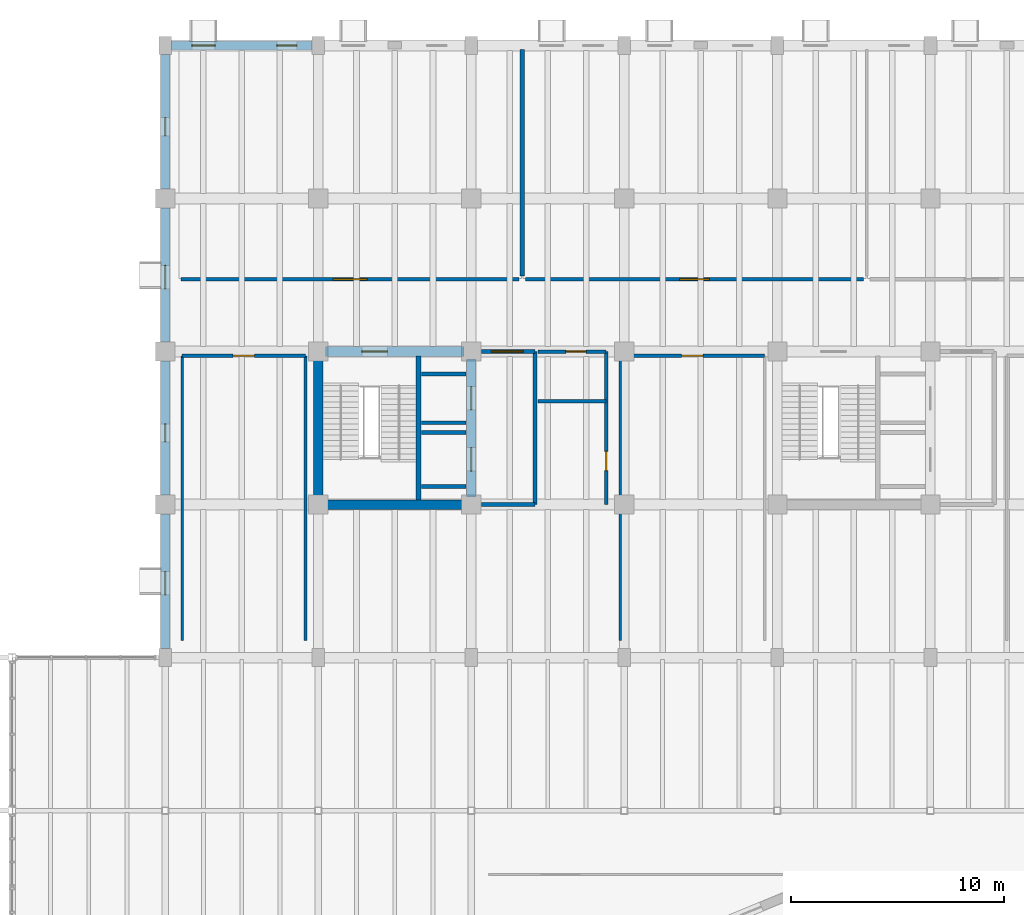
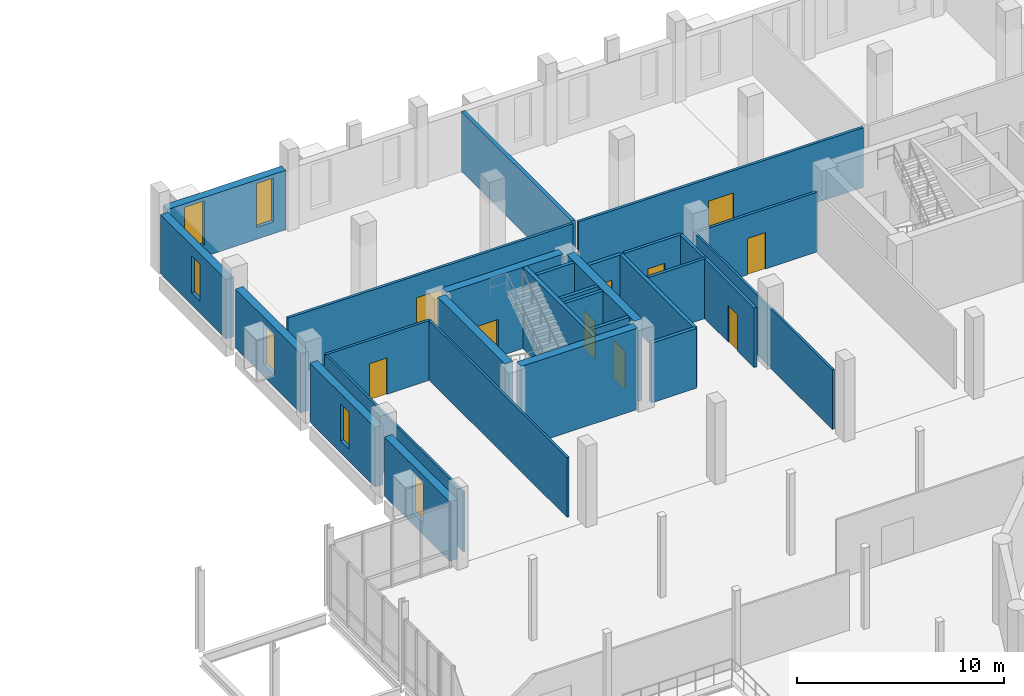
# One storey, part 65 of 77: 28 walls, 10 doors, 6 windows, 16 openings.
"""IFC4 building model written with IfcOpenShell, lengths in metres."""

from ifc_helpers import new_model, si_unit, direction, frame, frame_2d, origin, place, context, subcontext, project, spatial, rectangle, extrude, material, layer, layer_set, type_object, element, fill, save


model = new_model("IFC4")

# Units and contexts
model_context = context("Model", 3, precision=1e-05, world=origin(), true_north=direction((0.0, 1.0)))
body_context = subcontext(model_context, "Body", "Model", "MODEL_VIEW")
ifc_project = project(units=[si_unit("LENGTHUNIT", "METRE"), si_unit("AREAUNIT", "SQUARE_METRE"), si_unit("VOLUMEUNIT", "CUBIC_METRE"), si_unit("PLANEANGLEUNIT", "RADIAN"), si_unit("MASSUNIT", "GRAM", prefix="KILO")], contexts=[model_context])

# Site, building, storey
site_placement = place(None, origin())
site = spatial("IfcSite", under=ifc_project, at=site_placement, CompositionType="ELEMENT")
building_placement = place(site_placement, origin())
building = spatial("IfcBuilding", under=site, at=building_placement, Name="Qiaolan Assembly House", CompositionType="ELEMENT")
storey_placement = place(building_placement, frame((0.0, 0.0, 5.39990234375)))
storey = spatial("IfcBuildingStorey", under=building, at=storey_placement, Name="L01", CompositionType="ELEMENT", Elevation=5.39990234375)

# Wall
ifc_material_1 = material(Name="Concrete C50/60", Category="concrete")
ifc_layer_1 = layer(ifc_material_1, 0.449951171875)
ifc_layer_set_1 = layer_set([ifc_layer_1], Name="Concrete C50/60")
wall_type_1 = type_object("IfcWallType", Name="WAL-CORE-450", PredefinedType="SHEAR", material=ifc_layer_set_1)
wall_1_placement = place(storey_placement, frame((43.550048828125, 93.60009765625, 0.0), z_axis=(0.0, 0.0, 1.0), x_axis=(1.0, 0.0, 0.0)))
element("IfcWall", 1, at=wall_1_placement, inside=storey, type_object=wall_type_1, Name="CW-450 shear core wall CORE-A S L01", PredefinedType="SHEAR", context=body_context, shape_type="SweptSolid", body=[
    extrude(rectangle(XDim=6.5, YDim=0.449951171875, at=frame_2d((3.25, 0.0))), origin(), (0.0, 0.0, 1.0), 4.800048828125),
])

# Wall, openings, doors
wall_2_placement = place(storey_placement, frame((50.39990234375, 93.949951171875, 0.0), z_axis=(0.0, 0.0, 1.0), x_axis=(0.0, 1.0, 0.0)))
wall_2 = element("IfcWall", 2, at=wall_2_placement, inside=storey, type_object=wall_type_1, Name="CW-450 shear core wall CORE-A E L01", PredefinedType="SHEAR", context=body_context, shape_type="SweptSolid", body=[
    extrude(rectangle(XDim=6.5, YDim=0.449951171875, at=frame_2d((3.25, 0.0))), origin(), (0.0, 0.0, 1.0), 4.800048828125),
])
opening_1_placement = place(wall_2_placement, frame((1.22509765625, 0.0, 0.0)))
opening_1 = element("IfcOpeningElement", 3, at=opening_1_placement, cuts=wall_2, Name="Opening LD-003", PredefinedType="OPENING", context=body_context, shape_type="SweptSolid", body=[
    extrude(rectangle(XDim=1.10009765625, YDim=2.199951171875, at=frame_2d((0.550048828125, 1.10009765625))), frame((0.0, 0.23486328125, 0.0), z_axis=(0.0, -1.0, 0.0), x_axis=(1.0, 0.0, 0.0)), (0.0, 0.0, 1.0), 0.469970703125),
])
opening_2_placement = place(wall_2_placement, frame((4.10009765625, 0.0, 0.0)))
opening_2 = element("IfcOpeningElement", 4, at=opening_2_placement, cuts=wall_2, Name="Opening LD-012", PredefinedType="OPENING", context=body_context, shape_type="SweptSolid", body=[
    extrude(rectangle(XDim=1.10009765625, YDim=2.199951171875, at=frame_2d((0.550048828125, 1.10009765625))), frame((0.0, 0.23486328125, 0.0), z_axis=(0.0, -1.0, 0.0), x_axis=(1.0, 0.0, 0.0)), (0.0, 0.0, 1.0), 0.469970703125),
])
ifc_material_2 = material(Name="Anodised bronze aluminium", Category="aluminium")
door_type_1 = type_object("IfcDoorType", Name="DOR-LIFT-LD1100", OperationType="SLIDING_TO_LEFT", PredefinedType="DOOR", material=ifc_material_2)
door_1_placement = place(opening_1_placement, origin())
door_1 = element("IfcDoor", 5, at=door_1_placement, inside=storey, type_object=door_type_1, Name="Lift landing door LD-003 (LF-01 L01)", OperationType="SLIDING_TO_LEFT", OverallHeight=2.199951171875, OverallWidth=1.10009765625, PredefinedType="DOOR", context=body_context, shape_type="SweptSolid", body=[
    extrude(rectangle(XDim=1.10009765625, YDim=2.199951171875, at=frame_2d((0.550048828125, 1.10009765625))), frame((0.0, 0.02490234375, 0.0), z_axis=(0.0, -1.0, 0.0), x_axis=(1.0, 0.0, 0.0)), (0.0, 0.0, 1.0), 0.050048828125),
])
fill(opening_1, door_1)
door_2_placement = place(opening_2_placement, origin())
door_2 = element("IfcDoor", 6, at=door_2_placement, inside=storey, type_object=door_type_1, Name="Lift landing door LD-012 (LF-02 L01)", OperationType="SLIDING_TO_LEFT", OverallHeight=2.199951171875, OverallWidth=1.10009765625, PredefinedType="DOOR", context=body_context, shape_type="SweptSolid", body=[
    extrude(rectangle(XDim=1.10009765625, YDim=2.199951171875, at=frame_2d((0.550048828125, 1.10009765625))), frame((0.0, 0.02490234375, 0.0), z_axis=(0.0, -1.0, 0.0), x_axis=(1.0, 0.0, 0.0)), (0.0, 0.0, 1.0), 0.050048828125),
])
fill(opening_2, door_2)

# Wall, opening, door
wall_3_placement = place(storey_placement, frame((50.050048828125, 100.800048828125, 0.0), z_axis=(0.0, 0.0, 1.0), x_axis=(-1.0, 0.0, 0.0)))
wall_3 = element("IfcWall", 7, at=wall_3_placement, inside=storey, type_object=wall_type_1, Name="CW-450 shear core wall CORE-A N L01", PredefinedType="SHEAR", context=body_context, shape_type="SweptSolid", body=[
    extrude(rectangle(XDim=6.5, YDim=0.449951171875, at=frame_2d((3.25, 0.0))), origin(), (0.0, 0.0, 1.0), 4.800048828125),
])
opening_3_placement = place(wall_3_placement, frame((3.60009765625, 0.0, 0.0)))
opening_3 = element("IfcOpeningElement", 8, at=opening_3_placement, cuts=wall_3, Name="Opening FD-007", PredefinedType="OPENING", context=body_context, shape_type="SweptSolid", body=[
    extrude(rectangle(XDim=1.199951171875, YDim=2.199951171875, at=frame_2d((0.60009765625, 1.10009765625))), frame((0.0, 0.23486328125, 0.0), z_axis=(0.0, -1.0, 0.0), x_axis=(1.0, 0.0, 0.0)), (0.0, 0.0, 1.0), 0.469970703125),
])
ifc_material_3 = material(Name="Steel Q355B", Category="steel")
door_type_2 = type_object("IfcDoorType", Name="DOR-FIRE-FD90-1200", OperationType="NOTDEFINED", PredefinedType="DOOR", material=ifc_material_3)
door_3_placement = place(opening_3_placement, frame((1.199951171875, 0.0, 0.0), z_axis=(0.0, 0.0, 1.0), x_axis=(-1.0, 0.0, 0.0)))
door_3 = element("IfcDoor", 9, at=door_3_placement, inside=storey, type_object=door_type_2, Name="Stairwell fire door FD-007 (CORE-A L01)", OperationType="SINGLE_SWING_RIGHT", OverallHeight=2.199951171875, OverallWidth=1.199951171875, PredefinedType="DOOR", context=body_context, shape_type="SweptSolid", body=[
    extrude(rectangle(XDim=1.199951171875, YDim=2.199951171875, at=frame_2d((0.60009765625, 1.10009765625))), frame((0.0, 0.02490234375, 0.0), z_axis=(0.0, -1.0, 0.0), x_axis=(1.0, 0.0, 0.0)), (0.0, 0.0, 1.0), 0.050048828125),
])
fill(opening_3, door_3)

# Wall
wall_4_placement = place(storey_placement, frame((43.199951171875, 100.449951171875, 0.0), z_axis=(0.0, 0.0, 1.0), x_axis=(0.0, -1.0, 0.0)))
element("IfcWall", 10, at=wall_4_placement, inside=storey, type_object=wall_type_1, Name="CW-450 shear core wall CORE-A W L01", PredefinedType="SHEAR", context=body_context, shape_type="SweptSolid", body=[
    extrude(rectangle(XDim=6.5, YDim=0.449951171875, at=frame_2d((3.25, 0.0))), origin(), (0.0, 0.0, 1.0), 4.800048828125),
])

# Wall, openings, windows
ifc_material_4 = material(Name="Honed pale limestone", Category="masonry")
ifc_layer_2 = layer(ifc_material_4, 0.43505859375)
ifc_layer_set_2 = layer_set([ifc_layer_2], Name="Honed pale limestone")
wall_type_2 = type_object("IfcWallType", Name="WAL-EXT-RUSTIC-420", PredefinedType="SOLIDWALL", material=ifc_layer_set_2)
wall_5_placement = place(storey_placement, frame((42.902099609375, 115.199951171875, 0.0), z_axis=(0.0, 0.0, 1.0), x_axis=(-1.0, 0.0, 0.0)))
wall_5 = element("IfcWall", 11, at=wall_5_placement, inside=storey, type_object=wall_type_2, Name="EW-420 NW North street wall L01 bay 1", PredefinedType="SOLIDWALL", context=body_context, shape_type="SweptSolid", body=[
    extrude(rectangle(XDim=6.60400390625, YDim=0.43505859375, at=frame_2d((3.302001953125, 0.0))), origin(), (0.0, 0.0, 1.0), 3.5),
])
opening_4_placement = place(wall_5_placement, frame((0.701904296875, 0.0, 0.699951171875)))
opening_4 = element("IfcOpeningElement", 12, at=opening_4_placement, cuts=wall_5, Name="Opening WN-016", PredefinedType="OPENING", context=body_context, shape_type="SweptSolid", body=[
    extrude(rectangle(XDim=0.949951171875, YDim=2.60009765625, at=frame_2d((0.47509765625, 1.300048828125))), frame((0.0, 0.2275390625, 0.0), z_axis=(0.0, -1.0, 0.0), x_axis=(1.0, 0.0, 0.0)), (0.0, 0.0, 1.0), 0.455078125),
])
opening_5_placement = place(wall_5_placement, frame((4.552001953125, 0.0, 0.699951171875)))
opening_5 = element("IfcOpeningElement", 13, at=opening_5_placement, cuts=wall_5, Name="Opening WN-017", PredefinedType="OPENING", context=body_context, shape_type="SweptSolid", body=[
    extrude(rectangle(XDim=1.10009765625, YDim=2.60009765625, at=frame_2d((0.550048828125, 1.300048828125))), frame((0.0, 0.2275390625, 0.0), z_axis=(0.0, -1.0, 0.0), x_axis=(1.0, 0.0, 0.0)), (0.0, 0.0, 1.0), 0.455078125),
])
ifc_material_5 = material(Name="Low-E double insulating glass", Category="glass")
window_type_1 = type_object("IfcWindowType", Name="WIN-BOX-1100x2600", PartitioningType="SINGLE_PANEL", PredefinedType="WINDOW", material=ifc_material_5)
window_1_placement = place(opening_5_placement, origin())
window_1 = element("IfcWindow", 14, at=window_1_placement, inside=storey, type_object=window_type_1, Name="WN-T02 window WN-017", OverallHeight=2.60009765625, OverallWidth=1.10009765625, PartitioningType="SINGLE_PANEL", PredefinedType="WINDOW", context=body_context, shape_type="SweptSolid", body=[
    extrude(rectangle(XDim=1.10009765625, YDim=2.60009765625, at=frame_2d((0.550048828125, 1.300048828125))), frame((0.0, 0.030029296875, 0.0), z_axis=(0.0, -1.0, 0.0), x_axis=(1.0, 0.0, 0.0)), (0.0, 0.0, 1.0), 0.06005859375),
])
fill(opening_5, window_1)
window_type_2 = type_object("IfcWindowType", Name="WIN-PUNCH-950x2600", PartitioningType="SINGLE_PANEL", PredefinedType="WINDOW", material=ifc_material_5)
window_2_placement = place(opening_4_placement, origin())
window_2 = element("IfcWindow", 15, at=window_2_placement, inside=storey, type_object=window_type_2, Name="WN-T03 window WN-016", OverallHeight=2.60009765625, OverallWidth=0.949951171875, PartitioningType="SINGLE_PANEL", PredefinedType="WINDOW", context=body_context, shape_type="SweptSolid", body=[
    extrude(rectangle(XDim=0.949951171875, YDim=2.60009765625, at=frame_2d((0.47509765625, 1.300048828125))), frame((0.0, 0.030029296875, 0.0), z_axis=(0.0, -1.0, 0.0), x_axis=(1.0, 0.0, 0.0)), (0.0, 0.0, 1.0), 0.06005859375),
])
fill(opening_4, window_2)

# Wall, opening, window
wall_6_placement = place(storey_placement, frame((36.0, 86.822998046875, 0.0), z_axis=(0.0, 0.0, 1.0), x_axis=(0.0, 1.0, 0.0)))
wall_6 = element("IfcWall", 16, at=wall_6_placement, inside=storey, type_object=wall_type_2, Name="NW West avenue wall L01-1", PredefinedType="SOLIDWALL", context=body_context, shape_type="SweptSolid", body=[
    extrude(rectangle(XDim=6.3291015625, YDim=0.43505859375, at=frame_2d((3.16455078125, 0.0))), origin(), (0.0, 0.0, 1.0), 3.5),
])
opening_6_placement = place(wall_6_placement, frame((2.527099609375, 0.0, 0.699951171875)))
opening_6 = element("IfcOpeningElement", 17, at=opening_6_placement, cuts=wall_6, Name="Opening WN-034", PredefinedType="OPENING", context=body_context, shape_type="SweptSolid", body=[
    extrude(rectangle(XDim=1.10009765625, YDim=2.35009765625, at=frame_2d((0.550048828125, 1.175048828125))), frame((0.0, 0.2275390625, 0.0), z_axis=(0.0, -1.0, 0.0), x_axis=(1.0, 0.0, 0.0)), (0.0, 0.0, 1.0), 0.455078125),
])
window_type_3 = type_object("IfcWindowType", Name="WIN-BOX-1100x2350", PartitioningType="SINGLE_PANEL", PredefinedType="WINDOW", material=ifc_material_5)
window_3_placement = place(opening_6_placement, origin())
window_3 = element("IfcWindow", 18, at=window_3_placement, inside=storey, type_object=window_type_3, Name="NW West window WN-034", OverallHeight=2.35009765625, OverallWidth=1.10009765625, PartitioningType="SINGLE_PANEL", PredefinedType="WINDOW", context=body_context, shape_type="SweptSolid", body=[
    extrude(rectangle(XDim=1.10009765625, YDim=2.35009765625, at=frame_2d((0.550048828125, 1.175048828125))), frame((0.0, 0.030029296875, 0.0), z_axis=(0.0, -1.0, 0.0), x_axis=(1.0, 0.0, 0.0)), (0.0, 0.0, 1.0), 0.06005859375),
])
fill(opening_6, window_3)

wall_7_placement = place(storey_placement, frame((36.0, 94.048095703125, 0.0), z_axis=(0.0, 0.0, 1.0), x_axis=(0.0, 1.0, 0.0)))
wall_7 = element("IfcWall", 19, at=wall_7_placement, inside=storey, type_object=wall_type_2, Name="NW West avenue wall L01-2", PredefinedType="SOLIDWALL", context=body_context, shape_type="SweptSolid", body=[
    extrude(rectangle(XDim=6.303955078125, YDim=0.43505859375, at=frame_2d((3.15185546875, 0.0))), origin(), (0.0, 0.0, 1.0), 3.5),
])
opening_7_placement = place(wall_7_placement, frame((2.501953125, 0.0, 0.699951171875)))
opening_7 = element("IfcOpeningElement", 20, at=opening_7_placement, cuts=wall_7, Name="Opening WN-036", PredefinedType="OPENING", context=body_context, shape_type="SweptSolid", body=[
    extrude(rectangle(XDim=0.85009765625, YDim=2.199951171875, at=frame_2d((0.425048828125, 1.10009765625))), frame((0.0, 0.2275390625, 0.0), z_axis=(0.0, -1.0, 0.0), x_axis=(1.0, 0.0, 0.0)), (0.0, 0.0, 1.0), 0.455078125),
])
window_type_4 = type_object("IfcWindowType", Name="WIN-END-850x2200", PartitioningType="SINGLE_PANEL", PredefinedType="WINDOW", material=ifc_material_5)
window_4_placement = place(opening_7_placement, origin())
window_4 = element("IfcWindow", 21, at=window_4_placement, inside=storey, type_object=window_type_4, Name="NW West window WN-036", OverallHeight=2.199951171875, OverallWidth=0.85009765625, PartitioningType="SINGLE_PANEL", PredefinedType="WINDOW", context=body_context, shape_type="SweptSolid", body=[
    extrude(rectangle(XDim=0.85009765625, YDim=2.199951171875, at=frame_2d((0.425048828125, 1.10009765625))), frame((0.0, 0.030029296875, 0.0), z_axis=(0.0, -1.0, 0.0), x_axis=(1.0, 0.0, 0.0)), (0.0, 0.0, 1.0), 0.06005859375),
])
fill(opening_7, window_4)

wall_8_placement = place(storey_placement, frame((36.0, 101.248046875, 0.0), z_axis=(0.0, 0.0, 1.0), x_axis=(0.0, 1.0, 0.0)))
wall_8 = element("IfcWall", 22, at=wall_8_placement, inside=storey, type_object=wall_type_2, Name="NW West avenue wall L01-3", PredefinedType="SOLIDWALL", context=body_context, shape_type="SweptSolid", body=[
    extrude(rectangle(XDim=6.303955078125, YDim=0.43505859375, at=frame_2d((3.15185546875, 0.0))), origin(), (0.0, 0.0, 1.0), 3.5),
])
opening_8_placement = place(wall_8_placement, frame((2.501953125, 0.0, 0.699951171875)))
opening_8 = element("IfcOpeningElement", 23, at=opening_8_placement, cuts=wall_8, Name="Opening WN-038", PredefinedType="OPENING", context=body_context, shape_type="SweptSolid", body=[
    extrude(rectangle(XDim=1.10009765625, YDim=2.35009765625, at=frame_2d((0.550048828125, 1.175048828125))), frame((0.0, 0.2275390625, 0.0), z_axis=(0.0, -1.0, 0.0), x_axis=(1.0, 0.0, 0.0)), (0.0, 0.0, 1.0), 0.455078125),
])
window_5_placement = place(opening_8_placement, origin())
window_5 = element("IfcWindow", 24, at=window_5_placement, inside=storey, type_object=window_type_3, Name="NW West window WN-038", OverallHeight=2.35009765625, OverallWidth=1.10009765625, PartitioningType="SINGLE_PANEL", PredefinedType="WINDOW", context=body_context, shape_type="SweptSolid", body=[
    extrude(rectangle(XDim=1.10009765625, YDim=2.35009765625, at=frame_2d((0.550048828125, 1.175048828125))), frame((0.0, 0.030029296875, 0.0), z_axis=(0.0, -1.0, 0.0), x_axis=(1.0, 0.0, 0.0)), (0.0, 0.0, 1.0), 0.06005859375),
])
fill(opening_8, window_5)

wall_9_placement = place(storey_placement, frame((36.0, 108.447998046875, 0.0), z_axis=(0.0, 0.0, 1.0), x_axis=(0.0, 1.0, 0.0)))
wall_9 = element("IfcWall", 25, at=wall_9_placement, inside=storey, type_object=wall_type_2, Name="NW West avenue wall L01-4", PredefinedType="SOLIDWALL", context=body_context, shape_type="SweptSolid", body=[
    extrude(rectangle(XDim=6.3291015625, YDim=0.43505859375, at=frame_2d((3.16455078125, 0.0))), origin(), (0.0, 0.0, 1.0), 3.5),
])
opening_9_placement = place(wall_9_placement, frame((2.501953125, 0.0, 0.699951171875)))
opening_9 = element("IfcOpeningElement", 26, at=opening_9_placement, cuts=wall_9, Name="Opening WN-040", PredefinedType="OPENING", context=body_context, shape_type="SweptSolid", body=[
    extrude(rectangle(XDim=0.85009765625, YDim=2.199951171875, at=frame_2d((0.425048828125, 1.10009765625))), frame((0.0, 0.2275390625, 0.0), z_axis=(0.0, -1.0, 0.0), x_axis=(1.0, 0.0, 0.0)), (0.0, 0.0, 1.0), 0.455078125),
])
window_6_placement = place(opening_9_placement, origin())
window_6 = element("IfcWindow", 27, at=window_6_placement, inside=storey, type_object=window_type_4, Name="NW West window WN-040", OverallHeight=2.199951171875, OverallWidth=0.85009765625, PartitioningType="SINGLE_PANEL", PredefinedType="WINDOW", context=body_context, shape_type="SweptSolid", body=[
    extrude(rectangle(XDim=0.85009765625, YDim=2.199951171875, at=frame_2d((0.425048828125, 1.10009765625))), frame((0.0, 0.030029296875, 0.0), z_axis=(0.0, -1.0, 0.0), x_axis=(1.0, 0.0, 0.0)), (0.0, 0.0, 1.0), 0.06005859375),
])
fill(opening_9, window_6)

# Walls
ifc_material_6 = material(Name="Concrete C35/45", Category="concrete")
ifc_layer_3 = layer(ifc_material_6, 0.199951171875)
ifc_layer_set_3 = layer_set([ifc_layer_3], Name="Concrete C35/45")
wall_type_3 = type_object("IfcWallType", Name="WAL-LOBBY-200", PredefinedType="PARTITIONING", material=ifc_layer_set_3)
wall_10_placement = place(storey_placement, frame((53.39990234375, 93.60009765625, 0.0), z_axis=(0.0, 0.0, 1.0), x_axis=(0.0, 1.0, 0.0)))
element("IfcWall", 28, at=wall_10_placement, inside=storey, type_object=wall_type_3, Name="Firefighting lift lobby east wall CORE-A L01", PredefinedType="PARTITIONING", context=body_context, shape_type="SweptSolid", body=[
    extrude(rectangle(XDim=7.199951171875, YDim=0.199951171875, at=frame_2d((3.60009765625, 0.0))), origin(), (0.0, 0.0, 1.0), 3.52001953125),
])
wall_11_placement = place(storey_placement, frame((50.8798828125, 93.60009765625, 0.0), z_axis=(0.0, 0.0, 1.0), x_axis=(1.0, 0.0, 0.0)))
element("IfcWall", 29, at=wall_11_placement, inside=storey, type_object=wall_type_3, Name="Firefighting lift lobby south wall CORE-A L01", PredefinedType="PARTITIONING", context=body_context, shape_type="SweptSolid", body=[
    extrude(rectangle(XDim=2.52001953125, YDim=0.199951171875, at=frame_2d((1.260009765625, 0.0))), origin(), (0.0, 0.0, 1.0), 3.52001953125),
])

# Wall, opening, door
wall_12_placement = place(storey_placement, frame((53.39990234375, 100.800048828125, 0.0), z_axis=(0.0, 0.0, 1.0), x_axis=(-1.0, 0.0, 0.0)))
wall_12 = element("IfcWall", 30, at=wall_12_placement, inside=storey, type_object=wall_type_3, Name="Firefighting lift lobby north wall CORE-A L01", PredefinedType="PARTITIONING", context=body_context, shape_type="SweptSolid", body=[
    extrude(rectangle(XDim=2.52001953125, YDim=0.199951171875, at=frame_2d((1.260009765625, 0.0))), origin(), (0.0, 0.0, 1.0), 3.52001953125),
])
opening_10_placement = place(wall_12_placement, frame((0.550048828125, 0.0, 0.0)))
opening_10 = element("IfcOpeningElement", 31, at=opening_10_placement, cuts=wall_12, Name="Opening FD-008", PredefinedType="OPENING", context=body_context, shape_type="SweptSolid", body=[
    extrude(rectangle(XDim=1.5, YDim=2.199951171875, at=frame_2d((0.75, 1.10009765625))), frame((0.0, 0.10986328125, 0.0), z_axis=(0.0, -1.0, 0.0), x_axis=(1.0, 0.0, 0.0)), (0.0, 0.0, 1.0), 0.219970703125),
])
ifc_material_7 = material(Name="Acoustic oak panelling")
door_type_3 = type_object("IfcDoorType", Name="DOR-LOBBY-FD60-1500", OperationType="DOUBLE_DOOR_SINGLE_SWING", PredefinedType="DOOR", material=ifc_material_7)
door_4_placement = place(opening_10_placement, frame((1.5, 0.0, 0.0), z_axis=(0.0, 0.0, 1.0), x_axis=(-1.0, 0.0, 0.0)))
door_4 = element("IfcDoor", 32, at=door_4_placement, inside=storey, type_object=door_type_3, Name="Lobby corridor fire door FD-008", OperationType="DOUBLE_DOOR_SINGLE_SWING", OverallHeight=2.199951171875, OverallWidth=1.5, PredefinedType="DOOR", context=body_context, shape_type="SweptSolid", body=[
    extrude(rectangle(XDim=1.5, YDim=2.199951171875, at=frame_2d((0.75, 1.10009765625))), frame((0.0, 0.02490234375, 0.0), z_axis=(0.0, -1.0, 0.0), x_axis=(1.0, 0.0, 0.0)), (0.0, 0.0, 1.0), 0.050048828125),
])
fill(opening_10, door_4)

# Walls
ifc_material_8 = material(Name="Gypsum plasterboard partition")
ifc_layer_4 = layer(ifc_material_8, 0.1201171875)
ifc_layer_set_4 = layer_set([ifc_layer_4], Name="Gypsum plasterboard partition")
wall_type_4 = type_object("IfcWallType", Name="WAL-PART-120", PredefinedType="PARTITIONING", material=ifc_layer_set_4)
for number, where, z_axis, x_axis, name in (
    (33, (36.800048828125, 87.199951171875, 0.0), (0.0, 0.0, 1.0), (0.0, 1.0, 0.0), "Committee Clerks & Transcription Room west wall"),
    (34, (42.60009765625, 100.60009765625, 0.0), (0.0, 0.0, 1.0), (0.0, -1.0, 0.0), "Committee Clerks & Transcription Room east wall"),
    (35, (57.39990234375, 87.199951171875, 0.0), (0.0, 0.0, 1.0), (0.0, 1.0, 0.0), "Sub-Committee Caucus Room A west wall"),
):
    element("IfcWall", number, at=place(storey_placement, frame(where, z_axis=z_axis, x_axis=x_axis)), inside=storey, type_object=wall_type_4, Name=name, PredefinedType="PARTITIONING", context=body_context, shape_type="SweptSolid", body=[
        extrude(rectangle(XDim=13.400146484375, YDim=0.1201171875, at=frame_2d((6.7001953125, 0.0))), origin(), (0.0, 0.0, 1.0), 3.52001953125),
    ])

# Wall, opening, door
ifc_layer_5 = layer(ifc_material_8, 0.14990234375)
ifc_layer_set_5 = layer_set([ifc_layer_5], Name="Gypsum plasterboard partition")
wall_type_5 = type_object("IfcWallType", Name="WAL-PART-150", PredefinedType="PARTITIONING", material=ifc_layer_set_5)
wall_13_placement = place(storey_placement, frame((36.75, 104.199951171875, 0.0), z_axis=(0.0, 0.0, 1.0), x_axis=(1.0, 0.0, 0.0)))
wall_13 = element("IfcWall", 36, at=wall_13_placement, inside=storey, type_object=wall_type_5, Name="Committee Room 1 — Urban Planning & Land corridor wall", PredefinedType="PARTITIONING", context=body_context, shape_type="SweptSolid", body=[
    extrude(rectangle(XDim=15.89990234375, YDim=0.14990234375, at=frame_2d((7.949951171875, 0.0))), origin(), (0.0, 0.0, 1.0), 3.52001953125),
])
opening_11_placement = place(wall_13_placement, frame((7.14990234375, 0.0, 0.0)))
opening_11 = element("IfcOpeningElement", 37, at=opening_11_placement, cuts=wall_13, Name="Opening ND-183", PredefinedType="OPENING", context=body_context, shape_type="SweptSolid", body=[
    extrude(rectangle(XDim=1.60009765625, YDim=2.199951171875, at=frame_2d((0.800048828125, 1.10009765625))), frame((0.0, 0.0849609375, 0.0), z_axis=(0.0, -1.0, 0.0), x_axis=(1.0, 0.0, 0.0)), (0.0, 0.0, 1.0), 0.169921875),
])
door_type_4 = type_object("IfcDoorType", Name="DOR-COMM-DBL-1600", OperationType="DOUBLE_DOOR_SINGLE_SWING", PredefinedType="DOOR", material=ifc_material_7)
door_5_placement = place(opening_11_placement, origin())
door_5 = element("IfcDoor", 38, at=door_5_placement, inside=storey, type_object=door_type_4, Name="Committee Room 1 — Urban Planning & Land door ND-183", OperationType="DOUBLE_DOOR_SINGLE_SWING", OverallHeight=2.199951171875, OverallWidth=1.60009765625, PredefinedType="DOOR", context=body_context, shape_type="SweptSolid", body=[
    extrude(rectangle(XDim=1.60009765625, YDim=2.199951171875, at=frame_2d((0.800048828125, 1.10009765625))), frame((0.0, 0.02490234375, 0.0), z_axis=(0.0, -1.0, 0.0), x_axis=(1.0, 0.0, 0.0)), (0.0, 0.0, 1.0), 0.050048828125),
])
fill(opening_11, door_5)

wall_14_placement = place(storey_placement, frame((52.949951171875, 104.199951171875, 0.0), z_axis=(0.0, 0.0, 1.0), x_axis=(1.0, 0.0, 0.0)))
wall_14 = element("IfcWall", 39, at=wall_14_placement, inside=storey, type_object=wall_type_5, Name="Committee Room 2 — Municipal Finance & Budget corridor wall", PredefinedType="PARTITIONING", context=body_context, shape_type="SweptSolid", body=[
    extrude(rectangle(XDim=15.900146484375, YDim=0.14990234375, at=frame_2d((7.9501953125, 0.0))), origin(), (0.0, 0.0, 1.0), 3.52001953125),
])
opening_12_placement = place(wall_14_placement, frame((7.25, 0.0, 0.0)))
opening_12 = element("IfcOpeningElement", 40, at=opening_12_placement, cuts=wall_14, Name="Opening ND-184", PredefinedType="OPENING", context=body_context, shape_type="SweptSolid", body=[
    extrude(rectangle(XDim=1.39990234375, YDim=2.199951171875, at=frame_2d((0.699951171875, 1.10009765625))), frame((0.0, 0.0849609375, 0.0), z_axis=(0.0, -1.0, 0.0), x_axis=(1.0, 0.0, 0.0)), (0.0, 0.0, 1.0), 0.169921875),
])
door_type_5 = type_object("IfcDoorType", Name="DOR-ARCH-DBL-1400", OperationType="DOUBLE_DOOR_SINGLE_SWING", PredefinedType="DOOR", material=ifc_material_7)
door_6_placement = place(opening_12_placement, origin())
door_6 = element("IfcDoor", 41, at=door_6_placement, inside=storey, type_object=door_type_5, Name="Committee Room 2 — Municipal Finance & Budget door ND-184", OperationType="DOUBLE_DOOR_SINGLE_SWING", OverallHeight=2.199951171875, OverallWidth=1.39990234375, PredefinedType="DOOR", context=body_context, shape_type="SweptSolid", body=[
    extrude(rectangle(XDim=1.39990234375, YDim=2.199951171875, at=frame_2d((0.699951171875, 1.10009765625))), frame((0.0, 0.02490234375, 0.0), z_axis=(0.0, -1.0, 0.0), x_axis=(1.0, 0.0, 0.0)), (0.0, 0.0, 1.0), 0.050048828125),
])
fill(opening_12, door_6)

wall_15_placement = place(storey_placement, frame((42.60009765625, 100.60009765625, 0.0), z_axis=(0.0, 0.0, 1.0), x_axis=(-1.0, 0.0, 0.0)))
wall_15 = element("IfcWall", 42, at=wall_15_placement, inside=storey, type_object=wall_type_5, Name="Committee Clerks & Transcription Room corridor wall", PredefinedType="PARTITIONING", context=body_context, shape_type="SweptSolid", body=[
    extrude(rectangle(XDim=5.800048828125, YDim=0.14990234375, at=frame_2d((2.89990234375, 0.0))), origin(), (0.0, 0.0, 1.0), 3.52001953125),
])
opening_13_placement = place(wall_15_placement, frame((2.39990234375, 0.0, 0.0)))
opening_13 = element("IfcOpeningElement", 43, at=opening_13_placement, cuts=wall_15, Name="Opening SD-188", PredefinedType="OPENING", context=body_context, shape_type="SweptSolid", body=[
    extrude(rectangle(XDim=1.0, YDim=2.14990234375, at=frame_2d((0.5, 1.074951171875))), frame((0.0, 0.0849609375, 0.0), z_axis=(0.0, -1.0, 0.0), x_axis=(1.0, 0.0, 0.0)), (0.0, 0.0, 1.0), 0.169921875),
])
door_type_6 = type_object("IfcDoorType", Name="DOR-OFF-SGL-1000", OperationType="NOTDEFINED", PredefinedType="DOOR", material=ifc_material_7)
door_7_placement = place(opening_13_placement, origin())
door_7 = element("IfcDoor", 44, at=door_7_placement, inside=storey, type_object=door_type_6, Name="Committee Clerks & Transcription Room door SD-188", OperationType="SINGLE_SWING_LEFT", OverallHeight=2.14990234375, OverallWidth=1.0, PredefinedType="DOOR", context=body_context, shape_type="SweptSolid", body=[
    extrude(rectangle(XDim=1.0, YDim=2.14990234375, at=frame_2d((0.5, 1.074951171875))), frame((0.0, 0.02490234375, 0.0), z_axis=(0.0, -1.0, 0.0), x_axis=(1.0, 0.0, 0.0)), (0.0, 0.0, 1.0), 0.050048828125),
])
fill(opening_13, door_7)

wall_16_placement = place(storey_placement, frame((64.199951171875, 100.60009765625, 0.0), z_axis=(0.0, 0.0, 1.0), x_axis=(-1.0, 0.0, 0.0)))
wall_16 = element("IfcWall", 45, at=wall_16_placement, inside=storey, type_object=wall_type_5, Name="Sub-Committee Caucus Room A corridor wall", PredefinedType="PARTITIONING", context=body_context, shape_type="SweptSolid", body=[
    extrude(rectangle(XDim=6.800048828125, YDim=0.14990234375, at=frame_2d((3.39990234375, 0.0))), origin(), (0.0, 0.0, 1.0), 3.52001953125),
])
opening_14_placement = place(wall_16_placement, frame((2.89990234375, 0.0, 0.0)))
opening_14 = element("IfcOpeningElement", 46, at=opening_14_placement, cuts=wall_16, Name="Opening SD-189", PredefinedType="OPENING", context=body_context, shape_type="SweptSolid", body=[
    extrude(rectangle(XDim=1.0, YDim=2.14990234375, at=frame_2d((0.5, 1.074951171875))), frame((0.0, 0.0849609375, 0.0), z_axis=(0.0, -1.0, 0.0), x_axis=(1.0, 0.0, 0.0)), (0.0, 0.0, 1.0), 0.169921875),
])
door_8_placement = place(opening_14_placement, origin())
door_8 = element("IfcDoor", 47, at=door_8_placement, inside=storey, type_object=door_type_6, Name="Sub-Committee Caucus Room A door SD-189", OperationType="SINGLE_SWING_RIGHT", OverallHeight=2.14990234375, OverallWidth=1.0, PredefinedType="DOOR", context=body_context, shape_type="SweptSolid", body=[
    extrude(rectangle(XDim=1.0, YDim=2.14990234375, at=frame_2d((0.5, 1.074951171875))), frame((0.0, 0.02490234375, 0.0), z_axis=(0.0, -1.0, 0.0), x_axis=(1.0, 0.0, 0.0)), (0.0, 0.0, 1.0), 0.050048828125),
])
fill(opening_14, door_8)

# Walls
ifc_material_9 = material(Name="Gypsum acoustic stud wall")
ifc_layer_6 = layer(ifc_material_9, 0.2119140625)
ifc_layer_set_6 = layer_set([ifc_layer_6], Name="Gypsum acoustic stud wall")
wall_type_6 = type_object("IfcWallType", Name="WAL-PART-ACOUSTIC-200", PredefinedType="PARTITIONING", material=ifc_layer_set_6)
wall_17_placement = place(storey_placement, frame((52.800048828125, 104.35009765625, 0.0), z_axis=(0.0, 0.0, 1.0), x_axis=(0.0, 1.0, 0.0)))
element("IfcWall", 48, at=wall_17_placement, inside=storey, type_object=wall_type_6, Name="Committee Room 2 — Municipal Finance & Budget demising wall", PredefinedType="PARTITIONING", context=body_context, shape_type="SweptSolid", body=[
    extrude(rectangle(XDim=10.669921875, YDim=0.2119140625, at=frame_2d((5.3349609375, 0.0))), origin(), (0.0, 0.0, 1.0), 3.52001953125),
])
ifc_layer_7 = layer(ifc_material_6, 0.18505859375)
ifc_layer_set_7 = layer_set([ifc_layer_7], Name="Concrete C35/45")
wall_type_7 = type_object("IfcWallType", Name="WAL-SHAFT-200", PredefinedType="PARTITIONING", material=ifc_layer_set_7)
for number, where, z_axis, x_axis, name in (
    (49, (48.050048828125, 94.449951171875, 0.0), (0.0, 0.0, 1.0), (1.0, 0.0, 0.0), "SW-200 lift shaft wall LF-01 L01 DIVS"),
    (50, (48.050048828125, 97.0, 0.0), (0.0, 0.0, 1.0), (1.0, 0.0, 0.0), "SW-200 lift shaft wall LF-01 L01 DIVN"),
    (51, (48.050048828125, 97.449951171875, 0.0), (0.0, 0.0, 1.0), (1.0, 0.0, 0.0), "SW-200 lift shaft wall LF-02 L01 DIVS"),
    (52, (48.050048828125, 99.75, 0.0), (0.0, 0.0, 1.0), (1.0, 0.0, 0.0), "SW-200 lift shaft wall LF-02 L01 DIVN"),
):
    element("IfcWall", number, at=place(storey_placement, frame(where, z_axis=z_axis, x_axis=x_axis)), inside=storey, type_object=wall_type_7, Name=name, PredefinedType="PARTITIONING", context=body_context, shape_type="SweptSolid", body=[
        extrude(rectangle(XDim=2.099853515625, YDim=0.18505859375, at=frame_2d((1.0498046875, 0.0))), origin(), (0.0, 0.0, 1.0), 4.800048828125),
    ])
ifc_material_10 = material(Name="Concrete C40/50", Category="concrete")
ifc_layer_8 = layer(ifc_material_10, 0.22509765625)
ifc_layer_set_8 = layer_set([ifc_layer_8], Name="Concrete C40/50")
wall_type_8 = type_object("IfcWallType", Name="WAL-STAIR-DIV-225", PredefinedType="SHEAR", material=ifc_layer_set_8)
wall_18_placement = place(storey_placement, frame((47.919921875, 93.820068359375, 0.0), z_axis=(0.0, 0.0, 1.0), x_axis=(0.0, 1.0, 0.0)))
element("IfcWall", 53, at=wall_18_placement, inside=storey, type_object=wall_type_8, Name="SDW-225 stairwell structural spine wall CORE-A L01", PredefinedType="SHEAR", context=body_context, shape_type="SweptSolid", body=[
    extrude(rectangle(XDim=6.760009765625, YDim=0.22509765625, at=frame_2d((3.3798828125, 0.0))), origin(), (0.0, 0.0, 1.0), 4.800048828125),
])

# Wall, opening, door
ifc_material_11 = material(Name="Concrete C30/37", Category="concrete")
ifc_layer_9 = layer(ifc_material_11, 0.1650390625)
ifc_layer_set_9 = layer_set([ifc_layer_9], Name="Concrete C30/37")
wall_type_9 = type_object("IfcWallType", Name="WAL-WET-150", PredefinedType="PARTITIONING", material=ifc_layer_set_9)
wall_19_placement = place(storey_placement, frame((56.75, 93.60009765625, 0.0), z_axis=(0.0, 0.0, 1.0), x_axis=(0.0, 1.0, 0.0)))
wall_19 = element("IfcWall", 54, at=wall_19_placement, inside=storey, type_object=wall_type_9, Name="Public WC east wall CORE-A L01", PredefinedType="PARTITIONING", context=body_context, shape_type="SweptSolid", body=[
    extrude(rectangle(XDim=7.199951171875, YDim=0.1650390625, at=frame_2d((3.60009765625, 0.0))), origin(), (0.0, 0.0, 1.0), 3.52001953125),
])
opening_15_placement = place(wall_19_placement, frame((1.60009765625, 0.0, 0.0)))
opening_15 = element("IfcOpeningElement", 55, at=opening_15_placement, cuts=wall_19, Name="Opening WD-009", PredefinedType="OPENING", context=body_context, shape_type="SweptSolid", body=[
    extrude(rectangle(XDim=0.89990234375, YDim=2.14990234375, at=frame_2d((0.449951171875, 1.074951171875))), frame((0.0, 0.092529296875, 0.0), z_axis=(0.0, -1.0, 0.0), x_axis=(1.0, 0.0, 0.0)), (0.0, 0.0, 1.0), 0.18505859375),
])
door_type_7 = type_object("IfcDoorType", Name="DOR-WC-900", OperationType="NOTDEFINED", PredefinedType="DOOR", material=ifc_material_7)
door_9_placement = place(opening_15_placement, origin())
door_9 = element("IfcDoor", 56, at=door_9_placement, inside=storey, type_object=door_type_7, Name="Public Restroom door WD-009", OperationType="SINGLE_SWING_LEFT", OverallHeight=2.14990234375, OverallWidth=0.89990234375, PredefinedType="DOOR", context=body_context, shape_type="SweptSolid", body=[
    extrude(rectangle(XDim=0.89990234375, YDim=2.14990234375, at=frame_2d((0.449951171875, 1.074951171875))), frame((0.0, 0.02490234375, 0.0), z_axis=(0.0, -1.0, 0.0), x_axis=(1.0, 0.0, 0.0)), (0.0, 0.0, 1.0), 0.050048828125),
])
fill(opening_15, door_9)

wall_20_placement = place(storey_placement, frame((56.75, 100.800048828125, 0.0), z_axis=(0.0, 0.0, 1.0), x_axis=(-1.0, 0.0, 0.0)))
wall_20 = element("IfcWall", 57, at=wall_20_placement, inside=storey, type_object=wall_type_9, Name="Accessible WC corridor wall CORE-A L01", PredefinedType="PARTITIONING", context=body_context, shape_type="SweptSolid", body=[
    extrude(rectangle(XDim=3.199951171875, YDim=0.1650390625, at=frame_2d((1.60009765625, 0.0))), origin(), (0.0, 0.0, 1.0), 3.52001953125),
])
opening_16_placement = place(wall_20_placement, frame((0.949951171875, 0.0, 0.0)))
opening_16 = element("IfcOpeningElement", 58, at=opening_16_placement, cuts=wall_20, Name="Opening AD-010", PredefinedType="OPENING", context=body_context, shape_type="SweptSolid", body=[
    extrude(rectangle(XDim=0.949951171875, YDim=2.14990234375, at=frame_2d((0.47509765625, 1.074951171875))), frame((0.0, 0.092529296875, 0.0), z_axis=(0.0, -1.0, 0.0), x_axis=(1.0, 0.0, 0.0)), (0.0, 0.0, 1.0), 0.18505859375),
])
door_type_8 = type_object("IfcDoorType", Name="DOR-ACC-WC-950", OperationType="NOTDEFINED", PredefinedType="DOOR", material=ifc_material_7)
door_10_placement = place(opening_16_placement, origin())
door_10 = element("IfcDoor", 59, at=door_10_placement, inside=storey, type_object=door_type_8, Name="Accessible Restroom door AD-010", OperationType="SINGLE_SWING_RIGHT", OverallHeight=2.14990234375, OverallWidth=0.949951171875, PredefinedType="DOOR", context=body_context, shape_type="SweptSolid", body=[
    extrude(rectangle(XDim=0.949951171875, YDim=2.14990234375, at=frame_2d((0.47509765625, 1.074951171875))), frame((0.0, 0.02490234375, 0.0), z_axis=(0.0, -1.0, 0.0), x_axis=(1.0, 0.0, 0.0)), (0.0, 0.0, 1.0), 0.050048828125),
])
fill(opening_16, door_10)

# Wall
wall_21_placement = place(storey_placement, frame((53.550048828125, 98.449951171875, 0.0), z_axis=(0.0, 0.0, 1.0), x_axis=(1.0, 0.0, 0.0)))
element("IfcWall", 60, at=wall_21_placement, inside=storey, type_object=wall_type_9, Name="WC divider wall CORE-A L01", PredefinedType="PARTITIONING", context=body_context, shape_type="SweptSolid", body=[
    extrude(rectangle(XDim=3.199951171875, YDim=0.1650390625, at=frame_2d((1.60009765625, 0.0))), origin(), (0.0, 0.0, 1.0), 3.52001953125),
])

save(model, "model.ifc")
